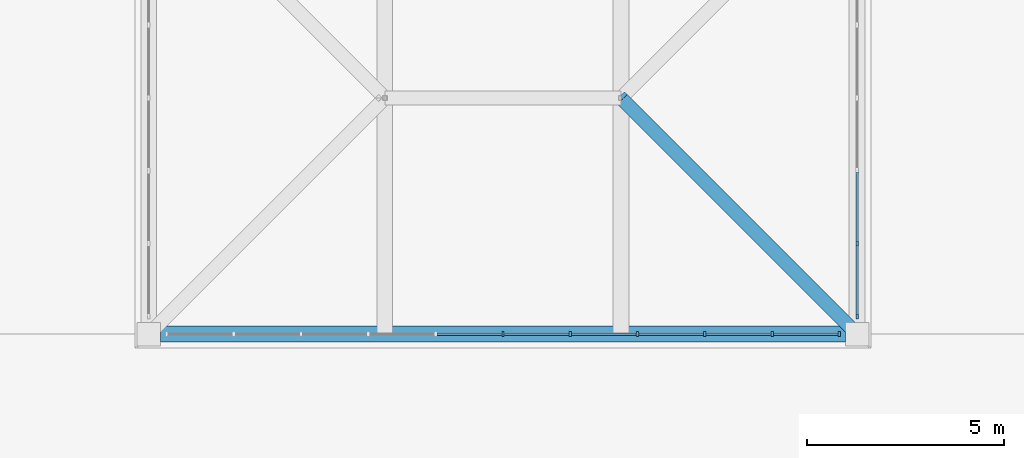
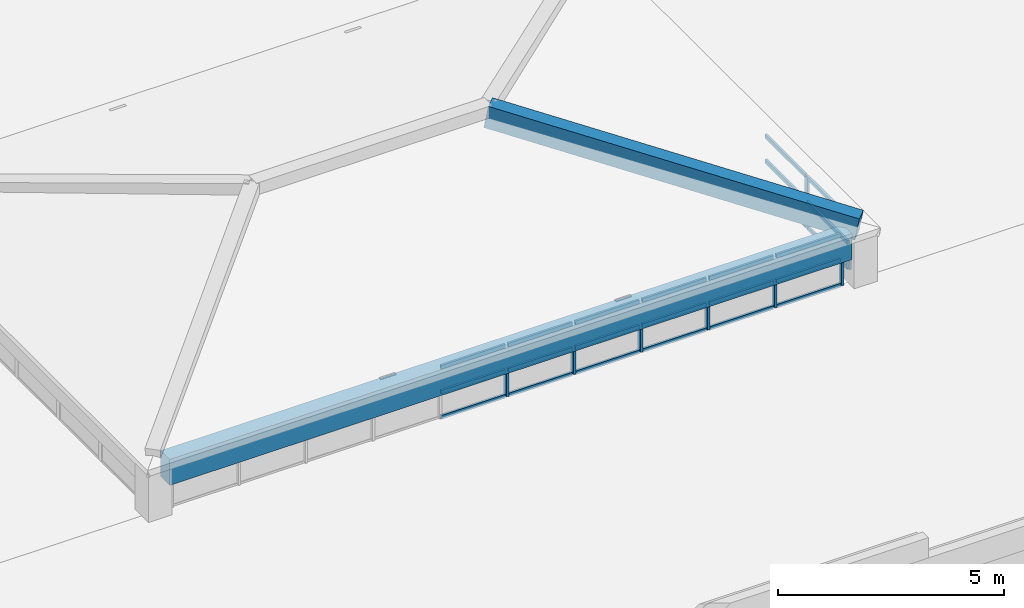
# One storey, part 36 of 56: 32 members, 2 beams, 2 elements without a shape of their own.
"""IFC4 building model written with IfcOpenShell, lengths in metres."""

from ifc_helpers import new_model, si_unit, direction, frame, origin, origin_2d, place, context, subcontext, project, spatial, rectangle, extrude, material, layer, layer_set, material_profile, profile_set, type_object, element, aggregate, save


model = new_model("IFC4")

# Units and contexts
model_context = context("Model", 3, precision=1e-05, world=origin(), true_north=direction((0.0, 1.0)))
body_context = subcontext(model_context, "Body", "Model", "MODEL_VIEW")
ifc_project = project(units=[si_unit("LENGTHUNIT", "METRE"), si_unit("AREAUNIT", "SQUARE_METRE"), si_unit("VOLUMEUNIT", "CUBIC_METRE"), si_unit("PLANEANGLEUNIT", "RADIAN"), si_unit("MASSUNIT", "GRAM", prefix="KILO")], contexts=[model_context])

# Site, building, storey
site_placement = place(None, origin())
site = spatial("IfcSite", under=ifc_project, at=site_placement, CompositionType="ELEMENT")
building_placement = place(site_placement, origin())
building = spatial("IfcBuilding", under=site, at=building_placement, Name="Zacnel Wholesale Market", CompositionType="ELEMENT")
storey_placement = place(building_placement, frame((0.0, 0.0, 20.300048828125)))
storey = spatial("IfcBuildingStorey", under=building, at=storey_placement, Name="RF", CompositionType="ELEMENT", Elevation=20.300048828125)

# Beams
ifc_material_1 = material(Name="Concrete C40/50", Category="concrete")
ifc_material_profile_1 = material_profile(ifc_material_1, rectangle(XDim=0.35009765625, YDim=0.60009765625, at=origin_2d()), Name="ARCH RIB 350x600")
ifc_profile_set_1 = profile_set([ifc_material_profile_1], Name="Concrete C40/50")
beam_type_1 = type_object("IfcBeamType", Name="BM-AR600", PredefinedType="USERDEFINED", material=ifc_profile_set_1)
beam_1_placement = place(storey_placement, frame((171.0, 108.0, -2.469970703125), z_axis=(-0.696310623823, 0.696310623823, 0.174077655956), x_axis=(-0.707106781187, -0.707106781187, 0.0)))
element("IfcBeam", 1, at=beam_1_placement, inside=storey, type_object=beam_type_1, Name="Hipped crown rib STR-ROOF-V1-XLANTERN-2", ObjectType="ARCH RIB", PredefinedType="USERDEFINED", context=body_context, shape_type="SweptSolid", body=[
    extrude(rectangle(XDim=0.35009765625, YDim=0.60009765625, at=origin_2d()), origin(), (0.0, 0.0, 1.0), 8.616943359375),
])
ifc_material_2 = material(Name="Precast concrete C45/55", Category="concrete")
ifc_material_profile_2 = material_profile(ifc_material_2, rectangle(XDim=0.39990234375, YDim=0.699951171875, at=origin_2d()), Name="PG 400x700")
ifc_profile_set_2 = profile_set([ifc_material_profile_2], Name="Precast concrete C45/55")
beam_type_2 = type_object("IfcBeamType", Name="BM-PG700", PredefinedType="BEAM", material=ifc_profile_set_2)
beam_2_placement = place(storey_placement, frame((153.300048828125, 108.0, -2.820068359375), z_axis=(1.0, 0.0, 0.0), x_axis=(0.0, 1.0, 0.0)))
element("IfcBeam", 2, at=beam_2_placement, inside=storey, type_object=beam_type_2, Name="Crossing lantern ring beam 01", PredefinedType="BEAM", context=body_context, shape_type="SweptSolid", body=[
    extrude(rectangle(XDim=0.39990234375, YDim=0.699951171875, at=origin_2d()), origin(), (0.0, 0.0, 1.0), 17.39990234375),
])

# Curtain wall, members
ifc_material_3 = material(Name="Anodised aluminium", Category="aluminium")
ifc_layer = layer(ifc_material_3, 0.14990234375)
ifc_layer_set = layer_set([ifc_layer], Name="Anodised aluminium")
curtain_wall_type = type_object("IfcCurtainWallType", Name="CW-CLER-3600", PredefinedType="NOTDEFINED", material=ifc_layer_set)
curtain_wall_1_placement = place(storey_placement, origin())
curtain_wall_1 = element("IfcCurtainWall", 3, at=curtain_wall_1_placement, inside=storey, type_object=curtain_wall_type, Name="Curtain wall ENV-CW-XLAN-S", PredefinedType="NOTDEFINED")
ifc_material_4 = material(Name="Anodised aluminium", Category="aluminium")
ifc_material_profile_3 = material_profile(ifc_material_4, rectangle(XDim=0.06005859375, YDim=0.1298828125, at=origin_2d()), Name="AW-MULLION 60x130")
ifc_profile_set_3 = profile_set([ifc_material_profile_3], Name="Anodised aluminium")
member_type_1 = type_object("IfcMemberType", Name="CWM-MUL-06", PredefinedType="MULLION", material=ifc_profile_set_3)
member_1_placement = place(storey_placement, frame((162.0, 108.0, -3.900146484375), z_axis=(0.0, 0.0, 1.0), x_axis=(1.0, 0.0, 0.0)))
member_1 = element("IfcMember", 4, at=member_1_placement, type_object=member_type_1, Name="ENV-CW-XLAN-S mullion 06", PredefinedType="MULLION", context=body_context, shape_type="SweptSolid", body=[
    extrude(rectangle(XDim=0.06005859375, YDim=0.1298828125, at=origin_2d()), origin(), (0.0, 0.0, 1.0), 1.35009765625),
])
member_2_placement = place(storey_placement, frame((163.7099609375, 108.0, -3.900146484375), z_axis=(0.0, 0.0, 1.0), x_axis=(1.0, 0.0, 0.0)))
member_2 = element("IfcMember", 5, at=member_2_placement, type_object=member_type_1, Name="ENV-CW-XLAN-S mullion 07", PredefinedType="MULLION", context=body_context, shape_type="SweptSolid", body=[
    extrude(rectangle(XDim=0.06005859375, YDim=0.1298828125, at=origin_2d()), origin(), (0.0, 0.0, 1.0), 1.35009765625),
])
member_3_placement = place(storey_placement, frame((165.419921875, 108.0, -3.900146484375), z_axis=(0.0, 0.0, 1.0), x_axis=(1.0, 0.0, 0.0)))
member_3 = element("IfcMember", 6, at=member_3_placement, type_object=member_type_1, Name="ENV-CW-XLAN-S mullion 08", PredefinedType="MULLION", context=body_context, shape_type="SweptSolid", body=[
    extrude(rectangle(XDim=0.06005859375, YDim=0.1298828125, at=origin_2d()), origin(), (0.0, 0.0, 1.0), 1.35009765625),
])
member_4_placement = place(storey_placement, frame((167.1298828125, 108.0, -3.900146484375), z_axis=(0.0, 0.0, 1.0), x_axis=(1.0, 0.0, 0.0)))
member_4 = element("IfcMember", 7, at=member_4_placement, type_object=member_type_1, Name="ENV-CW-XLAN-S mullion 09", PredefinedType="MULLION", context=body_context, shape_type="SweptSolid", body=[
    extrude(rectangle(XDim=0.06005859375, YDim=0.1298828125, at=origin_2d()), origin(), (0.0, 0.0, 1.0), 1.35009765625),
])
member_5_placement = place(storey_placement, frame((168.840087890625, 108.0, -3.900146484375), z_axis=(0.0, 0.0, 1.0), x_axis=(1.0, 0.0, 0.0)))
member_5 = element("IfcMember", 8, at=member_5_placement, type_object=member_type_1, Name="ENV-CW-XLAN-S mullion 10", PredefinedType="MULLION", context=body_context, shape_type="SweptSolid", body=[
    extrude(rectangle(XDim=0.06005859375, YDim=0.1298828125, at=origin_2d()), origin(), (0.0, 0.0, 1.0), 1.35009765625),
])
member_6_placement = place(storey_placement, frame((170.550048828125, 108.0, -3.900146484375), z_axis=(0.0, 0.0, 1.0), x_axis=(1.0, 0.0, 0.0)))
member_6 = element("IfcMember", 9, at=member_6_placement, type_object=member_type_1, Name="ENV-CW-XLAN-S mullion 11", PredefinedType="MULLION", context=body_context, shape_type="SweptSolid", body=[
    extrude(rectangle(XDim=0.06005859375, YDim=0.1298828125, at=origin_2d()), origin(), (0.0, 0.0, 1.0), 1.35009765625),
])

curtain_wall_2_placement = place(storey_placement, origin())
curtain_wall_2 = element("IfcCurtainWall", 10, at=curtain_wall_2_placement, inside=storey, type_object=curtain_wall_type, Name="Curtain wall ENV-CW-XLAN-E", PredefinedType="NOTDEFINED")
member_7_placement = place(storey_placement, frame((171.0, 108.449951171875, -3.900146484375), z_axis=(0.0, 0.0, 1.0), x_axis=(1.0, 0.0, 0.0)))
member_7 = element("IfcMember", 11, at=member_7_placement, type_object=member_type_1, Name="ENV-CW-XLAN-E mullion 01", PredefinedType="MULLION", context=body_context, shape_type="SweptSolid", body=[
    extrude(rectangle(XDim=0.06005859375, YDim=0.1298828125, at=origin_2d()), origin(), (0.0, 0.0, 1.0), 1.35009765625),
])
member_8_placement = place(storey_placement, frame((171.0, 110.300048828125, -3.900146484375), z_axis=(0.0, 0.0, 1.0), x_axis=(1.0, 0.0, 0.0)))
member_8 = element("IfcMember", 12, at=member_8_placement, type_object=member_type_1, Name="ENV-CW-XLAN-E mullion 02", PredefinedType="MULLION", context=body_context, shape_type="SweptSolid", body=[
    extrude(rectangle(XDim=0.06005859375, YDim=0.1298828125, at=origin_2d()), origin(), (0.0, 0.0, 1.0), 1.35009765625),
])

# Member
ifc_material_5 = material(Name="Anodised aluminium", Category="aluminium")
ifc_material_profile_4 = material_profile(ifc_material_5, rectangle(XDim=0.06005859375, YDim=0.10009765625, at=origin_2d()), Name="AW-TRANSOM 60x100")
ifc_profile_set_4 = profile_set([ifc_material_profile_4], Name="Anodised aluminium")
member_type_2 = type_object("IfcMemberType", Name="CWM-TRN-06", PredefinedType="USERDEFINED", material=ifc_profile_set_4)
member_9_placement = place(storey_placement, frame((160.324951171875, 108.0, -3.900146484375), z_axis=(1.0, 0.0, 0.0), x_axis=(0.0, 1.0, 0.0)))
member_9 = element("IfcMember", 13, at=member_9_placement, type_object=member_type_2, Name="ENV-CW-XLAN-S transom 5-1", ObjectType="TRANSOM", PredefinedType="USERDEFINED", context=body_context, shape_type="SweptSolid", body=[
    extrude(rectangle(XDim=0.06005859375, YDim=0.10009765625, at=origin_2d()), origin(), (0.0, 0.0, 1.0), 1.64013671875),
])

member_10_placement = place(storey_placement, frame((160.324951171875, 108.0, -3.22509765625), z_axis=(1.0, 0.0, 0.0), x_axis=(0.0, 1.0, 0.0)))
member_10 = element("IfcMember", 14, at=member_10_placement, type_object=member_type_2, Name="ENV-CW-XLAN-S transom 5-2", ObjectType="TRANSOM", PredefinedType="USERDEFINED", context=body_context, shape_type="SweptSolid", body=[
    extrude(rectangle(XDim=0.06005859375, YDim=0.10009765625, at=origin_2d()), origin(), (0.0, 0.0, 1.0), 1.64013671875),
])

member_11_placement = place(storey_placement, frame((160.324951171875, 108.0, -2.550048828125), z_axis=(1.0, 0.0, 0.0), x_axis=(0.0, 1.0, 0.0)))
member_11 = element("IfcMember", 15, at=member_11_placement, type_object=member_type_2, Name="ENV-CW-XLAN-S transom 5-3", ObjectType="TRANSOM", PredefinedType="USERDEFINED", context=body_context, shape_type="SweptSolid", body=[
    extrude(rectangle(XDim=0.06005859375, YDim=0.10009765625, at=origin_2d()), origin(), (0.0, 0.0, 1.0), 1.64013671875),
])

member_12_placement = place(storey_placement, frame((162.034912109375, 108.0, -3.900146484375), z_axis=(1.0, 0.0, 0.0), x_axis=(0.0, 1.0, 0.0)))
member_12 = element("IfcMember", 16, at=member_12_placement, type_object=member_type_2, Name="ENV-CW-XLAN-S transom 6-1", ObjectType="TRANSOM", PredefinedType="USERDEFINED", context=body_context, shape_type="SweptSolid", body=[
    extrude(rectangle(XDim=0.06005859375, YDim=0.10009765625, at=origin_2d()), origin(), (0.0, 0.0, 1.0), 1.64013671875),
])

member_13_placement = place(storey_placement, frame((162.034912109375, 108.0, -3.22509765625), z_axis=(1.0, 0.0, 0.0), x_axis=(0.0, 1.0, 0.0)))
member_13 = element("IfcMember", 17, at=member_13_placement, type_object=member_type_2, Name="ENV-CW-XLAN-S transom 6-2", ObjectType="TRANSOM", PredefinedType="USERDEFINED", context=body_context, shape_type="SweptSolid", body=[
    extrude(rectangle(XDim=0.06005859375, YDim=0.10009765625, at=origin_2d()), origin(), (0.0, 0.0, 1.0), 1.64013671875),
])

member_14_placement = place(storey_placement, frame((162.034912109375, 108.0, -2.550048828125), z_axis=(1.0, 0.0, 0.0), x_axis=(0.0, 1.0, 0.0)))
member_14 = element("IfcMember", 18, at=member_14_placement, type_object=member_type_2, Name="ENV-CW-XLAN-S transom 6-3", ObjectType="TRANSOM", PredefinedType="USERDEFINED", context=body_context, shape_type="SweptSolid", body=[
    extrude(rectangle(XDim=0.06005859375, YDim=0.10009765625, at=origin_2d()), origin(), (0.0, 0.0, 1.0), 1.64013671875),
])

member_15_placement = place(storey_placement, frame((163.7451171875, 108.0, -3.900146484375), z_axis=(1.0, 0.0, 0.0), x_axis=(0.0, 1.0, 0.0)))
member_15 = element("IfcMember", 19, at=member_15_placement, type_object=member_type_2, Name="ENV-CW-XLAN-S transom 7-1", ObjectType="TRANSOM", PredefinedType="USERDEFINED", context=body_context, shape_type="SweptSolid", body=[
    extrude(rectangle(XDim=0.06005859375, YDim=0.10009765625, at=origin_2d()), origin(), (0.0, 0.0, 1.0), 1.639892578125),
])

member_16_placement = place(storey_placement, frame((163.7451171875, 108.0, -3.22509765625), z_axis=(1.0, 0.0, 0.0), x_axis=(0.0, 1.0, 0.0)))
member_16 = element("IfcMember", 20, at=member_16_placement, type_object=member_type_2, Name="ENV-CW-XLAN-S transom 7-2", ObjectType="TRANSOM", PredefinedType="USERDEFINED", context=body_context, shape_type="SweptSolid", body=[
    extrude(rectangle(XDim=0.06005859375, YDim=0.10009765625, at=origin_2d()), origin(), (0.0, 0.0, 1.0), 1.639892578125),
])

member_17_placement = place(storey_placement, frame((163.7451171875, 108.0, -2.550048828125), z_axis=(1.0, 0.0, 0.0), x_axis=(0.0, 1.0, 0.0)))
member_17 = element("IfcMember", 21, at=member_17_placement, type_object=member_type_2, Name="ENV-CW-XLAN-S transom 7-3", ObjectType="TRANSOM", PredefinedType="USERDEFINED", context=body_context, shape_type="SweptSolid", body=[
    extrude(rectangle(XDim=0.06005859375, YDim=0.10009765625, at=origin_2d()), origin(), (0.0, 0.0, 1.0), 1.639892578125),
])

member_18_placement = place(storey_placement, frame((165.455078125, 108.0, -3.900146484375), z_axis=(1.0, 0.0, 0.0), x_axis=(0.0, 1.0, 0.0)))
member_18 = element("IfcMember", 22, at=member_18_placement, type_object=member_type_2, Name="ENV-CW-XLAN-S transom 8-1", ObjectType="TRANSOM", PredefinedType="USERDEFINED", context=body_context, shape_type="SweptSolid", body=[
    extrude(rectangle(XDim=0.06005859375, YDim=0.10009765625, at=origin_2d()), origin(), (0.0, 0.0, 1.0), 1.639892578125),
])

member_19_placement = place(storey_placement, frame((165.455078125, 108.0, -3.22509765625), z_axis=(1.0, 0.0, 0.0), x_axis=(0.0, 1.0, 0.0)))
member_19 = element("IfcMember", 23, at=member_19_placement, type_object=member_type_2, Name="ENV-CW-XLAN-S transom 8-2", ObjectType="TRANSOM", PredefinedType="USERDEFINED", context=body_context, shape_type="SweptSolid", body=[
    extrude(rectangle(XDim=0.06005859375, YDim=0.10009765625, at=origin_2d()), origin(), (0.0, 0.0, 1.0), 1.639892578125),
])

member_20_placement = place(storey_placement, frame((165.455078125, 108.0, -2.550048828125), z_axis=(1.0, 0.0, 0.0), x_axis=(0.0, 1.0, 0.0)))
member_20 = element("IfcMember", 24, at=member_20_placement, type_object=member_type_2, Name="ENV-CW-XLAN-S transom 8-3", ObjectType="TRANSOM", PredefinedType="USERDEFINED", context=body_context, shape_type="SweptSolid", body=[
    extrude(rectangle(XDim=0.06005859375, YDim=0.10009765625, at=origin_2d()), origin(), (0.0, 0.0, 1.0), 1.639892578125),
])

member_21_placement = place(storey_placement, frame((167.1650390625, 108.0, -3.900146484375), z_axis=(1.0, 0.0, 0.0), x_axis=(0.0, 1.0, 0.0)))
member_21 = element("IfcMember", 25, at=member_21_placement, type_object=member_type_2, Name="ENV-CW-XLAN-S transom 9-1", ObjectType="TRANSOM", PredefinedType="USERDEFINED", context=body_context, shape_type="SweptSolid", body=[
    extrude(rectangle(XDim=0.06005859375, YDim=0.10009765625, at=origin_2d()), origin(), (0.0, 0.0, 1.0), 1.639892578125),
])

member_22_placement = place(storey_placement, frame((167.1650390625, 108.0, -3.22509765625), z_axis=(1.0, 0.0, 0.0), x_axis=(0.0, 1.0, 0.0)))
member_22 = element("IfcMember", 26, at=member_22_placement, type_object=member_type_2, Name="ENV-CW-XLAN-S transom 9-2", ObjectType="TRANSOM", PredefinedType="USERDEFINED", context=body_context, shape_type="SweptSolid", body=[
    extrude(rectangle(XDim=0.06005859375, YDim=0.10009765625, at=origin_2d()), origin(), (0.0, 0.0, 1.0), 1.639892578125),
])

member_23_placement = place(storey_placement, frame((167.1650390625, 108.0, -2.550048828125), z_axis=(1.0, 0.0, 0.0), x_axis=(0.0, 1.0, 0.0)))
member_23 = element("IfcMember", 27, at=member_23_placement, type_object=member_type_2, Name="ENV-CW-XLAN-S transom 9-3", ObjectType="TRANSOM", PredefinedType="USERDEFINED", context=body_context, shape_type="SweptSolid", body=[
    extrude(rectangle(XDim=0.06005859375, YDim=0.10009765625, at=origin_2d()), origin(), (0.0, 0.0, 1.0), 1.639892578125),
])

member_24_placement = place(storey_placement, frame((168.875, 108.0, -3.900146484375), z_axis=(1.0, 0.0, 0.0), x_axis=(0.0, 1.0, 0.0)))
member_24 = element("IfcMember", 28, at=member_24_placement, type_object=member_type_2, Name="ENV-CW-XLAN-S transom 10-1", ObjectType="TRANSOM", PredefinedType="USERDEFINED", context=body_context, shape_type="SweptSolid", body=[
    extrude(rectangle(XDim=0.06005859375, YDim=0.10009765625, at=origin_2d()), origin(), (0.0, 0.0, 1.0), 1.639892578125),
])

member_25_placement = place(storey_placement, frame((168.875, 108.0, -3.22509765625), z_axis=(1.0, 0.0, 0.0), x_axis=(0.0, 1.0, 0.0)))
member_25 = element("IfcMember", 29, at=member_25_placement, type_object=member_type_2, Name="ENV-CW-XLAN-S transom 10-2", ObjectType="TRANSOM", PredefinedType="USERDEFINED", context=body_context, shape_type="SweptSolid", body=[
    extrude(rectangle(XDim=0.06005859375, YDim=0.10009765625, at=origin_2d()), origin(), (0.0, 0.0, 1.0), 1.639892578125),
])

member_26_placement = place(storey_placement, frame((168.875, 108.0, -2.550048828125), z_axis=(1.0, 0.0, 0.0), x_axis=(0.0, 1.0, 0.0)))
member_26 = element("IfcMember", 30, at=member_26_placement, type_object=member_type_2, Name="ENV-CW-XLAN-S transom 10-3", ObjectType="TRANSOM", PredefinedType="USERDEFINED", context=body_context, shape_type="SweptSolid", body=[
    extrude(rectangle(XDim=0.06005859375, YDim=0.10009765625, at=origin_2d()), origin(), (0.0, 0.0, 1.0), 1.639892578125),
])

aggregate(curtain_wall_1, [member_1, member_2, member_3, member_4, member_5, member_6, member_9, member_10, member_11, member_12, member_13, member_14, member_15, member_16, member_17, member_18, member_19, member_20, member_21, member_22, member_23, member_24, member_25, member_26])

member_27_placement = place(storey_placement, frame((171.0, 108.485107421875, -3.900146484375), z_axis=(0.0, 1.0, 0.0), x_axis=(-1.0, 0.0, 0.0)))
member_27 = element("IfcMember", 31, at=member_27_placement, type_object=member_type_2, Name="ENV-CW-XLAN-E transom 1-1", ObjectType="TRANSOM", PredefinedType="USERDEFINED", context=body_context, shape_type="SweptSolid", body=[
    extrude(rectangle(XDim=0.06005859375, YDim=0.10009765625, at=origin_2d()), origin(), (0.0, 0.0, 1.0), 1.77978515625),
])

member_28_placement = place(storey_placement, frame((171.0, 108.485107421875, -3.22509765625), z_axis=(0.0, 1.0, 0.0), x_axis=(-1.0, 0.0, 0.0)))
member_28 = element("IfcMember", 32, at=member_28_placement, type_object=member_type_2, Name="ENV-CW-XLAN-E transom 1-2", ObjectType="TRANSOM", PredefinedType="USERDEFINED", context=body_context, shape_type="SweptSolid", body=[
    extrude(rectangle(XDim=0.06005859375, YDim=0.10009765625, at=origin_2d()), origin(), (0.0, 0.0, 1.0), 1.77978515625),
])

member_29_placement = place(storey_placement, frame((171.0, 108.485107421875, -2.550048828125), z_axis=(0.0, 1.0, 0.0), x_axis=(-1.0, 0.0, 0.0)))
member_29 = element("IfcMember", 33, at=member_29_placement, type_object=member_type_2, Name="ENV-CW-XLAN-E transom 1-3", ObjectType="TRANSOM", PredefinedType="USERDEFINED", context=body_context, shape_type="SweptSolid", body=[
    extrude(rectangle(XDim=0.06005859375, YDim=0.10009765625, at=origin_2d()), origin(), (0.0, 0.0, 1.0), 1.77978515625),
])

member_30_placement = place(storey_placement, frame((171.0, 110.3349609375, -3.900146484375), z_axis=(0.0, 1.0, 0.0), x_axis=(-1.0, 0.0, 0.0)))
member_30 = element("IfcMember", 34, at=member_30_placement, type_object=member_type_2, Name="ENV-CW-XLAN-E transom 2-1", ObjectType="TRANSOM", PredefinedType="USERDEFINED", context=body_context, shape_type="SweptSolid", body=[
    extrude(rectangle(XDim=0.06005859375, YDim=0.10009765625, at=origin_2d()), origin(), (0.0, 0.0, 1.0), 1.780029296875),
])

member_31_placement = place(storey_placement, frame((171.0, 110.3349609375, -3.22509765625), z_axis=(0.0, 1.0, 0.0), x_axis=(-1.0, 0.0, 0.0)))
member_31 = element("IfcMember", 35, at=member_31_placement, type_object=member_type_2, Name="ENV-CW-XLAN-E transom 2-2", ObjectType="TRANSOM", PredefinedType="USERDEFINED", context=body_context, shape_type="SweptSolid", body=[
    extrude(rectangle(XDim=0.06005859375, YDim=0.10009765625, at=origin_2d()), origin(), (0.0, 0.0, 1.0), 1.780029296875),
])

member_32_placement = place(storey_placement, frame((171.0, 110.3349609375, -2.550048828125), z_axis=(0.0, 1.0, 0.0), x_axis=(-1.0, 0.0, 0.0)))
member_32 = element("IfcMember", 36, at=member_32_placement, type_object=member_type_2, Name="ENV-CW-XLAN-E transom 2-3", ObjectType="TRANSOM", PredefinedType="USERDEFINED", context=body_context, shape_type="SweptSolid", body=[
    extrude(rectangle(XDim=0.06005859375, YDim=0.10009765625, at=origin_2d()), origin(), (0.0, 0.0, 1.0), 1.780029296875),
])

aggregate(curtain_wall_2, [member_7, member_8, member_27, member_28, member_29, member_30, member_31, member_32])

save(model, "model.ifc")
